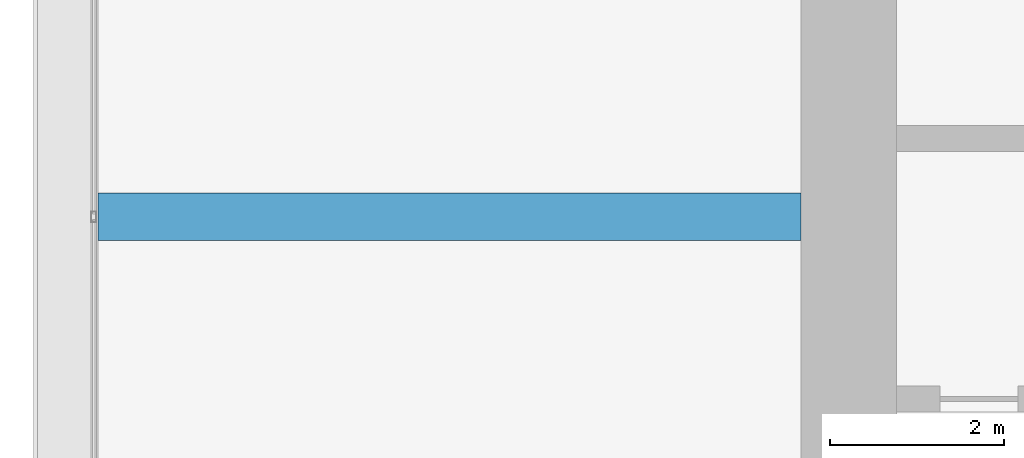
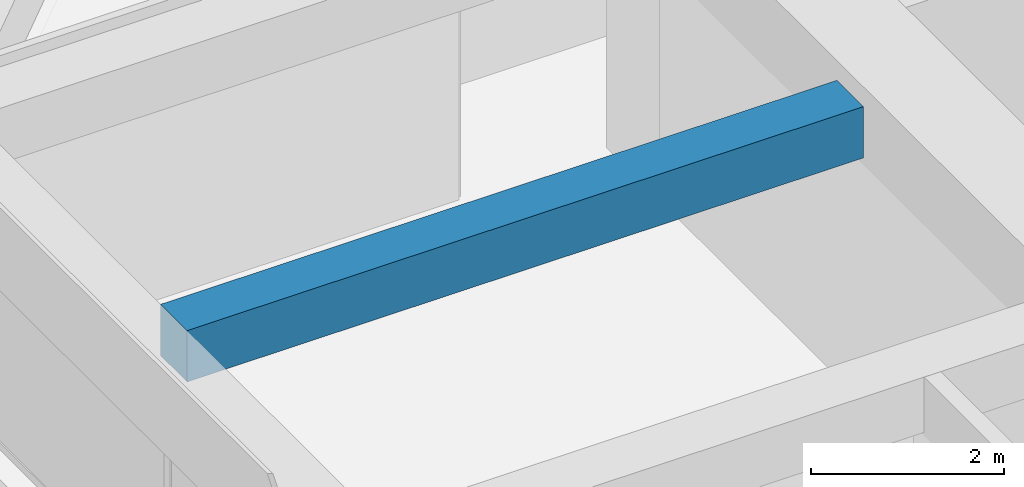
# One storey, part 17 of 44: 1 beam.
"""IFC4 building model written with IfcOpenShell, lengths in metres."""

from ifc_helpers import new_model, si_unit, direction, frame, origin, origin_2d, place, context, subcontext, project, spatial, rectangle, extrude, material, material_profile, profile_set, type_object, element, save


model = new_model("IFC4")

# Units and contexts
model_context = context("Model", 3, precision=1e-05, world=origin(), true_north=direction((0.0, 1.0)))
body_context = subcontext(model_context, "Body", "Model", "MODEL_VIEW")
ifc_project = project(units=[si_unit("LENGTHUNIT", "METRE"), si_unit("AREAUNIT", "SQUARE_METRE"), si_unit("VOLUMEUNIT", "CUBIC_METRE"), si_unit("PLANEANGLEUNIT", "RADIAN"), si_unit("MASSUNIT", "GRAM", prefix="KILO")], contexts=[model_context])

# Site, building, storey
site_placement = place(None, origin())
site = spatial("IfcSite", under=ifc_project, at=site_placement, CompositionType="ELEMENT")
building_placement = place(site_placement, origin())
building = spatial("IfcBuilding", under=site, at=building_placement, Name="Zorevar Civic Tower", CompositionType="ELEMENT")
storey_placement = place(building_placement, frame((0.0, 0.0, 267.39990234375)))
storey = spatial("IfcBuildingStorey", under=building, at=storey_placement, Name="L65", CompositionType="ELEMENT", Elevation=267.39990234375)

# Beam
ifc_material = material(Name="Concrete C50/60", Category="concrete")
ifc_material_profile = material_profile(ifc_material, rectangle(XDim=0.550048828125, YDim=0.64990234375, at=origin_2d()), Name="RC 550x650")
ifc_profile_set = profile_set([ifc_material_profile], Name="Concrete C50/60")
beam_type = type_object("IfcBeamType", Name="Beam RC 550x650", PredefinedType="BEAM", material=ifc_profile_set)
beam_placement = place(storey_placement, frame((9.35009765625, 31.5, 3.425048828125), z_axis=(1.0, 0.0, 0.0), x_axis=(0.0, 1.0, 0.0)))
element("IfcBeam", 1, at=beam_placement, inside=storey, type_object=beam_type, Name="Secondary beam L66", PredefinedType="BEAM", context=body_context, shape_type="SweptSolid", body=[
    extrude(rectangle(XDim=0.550048828125, YDim=0.64990234375, at=origin_2d()), origin(), (0.0, 0.0, 1.0), 8.099853515625),
])

save(model, "model.ifc")
